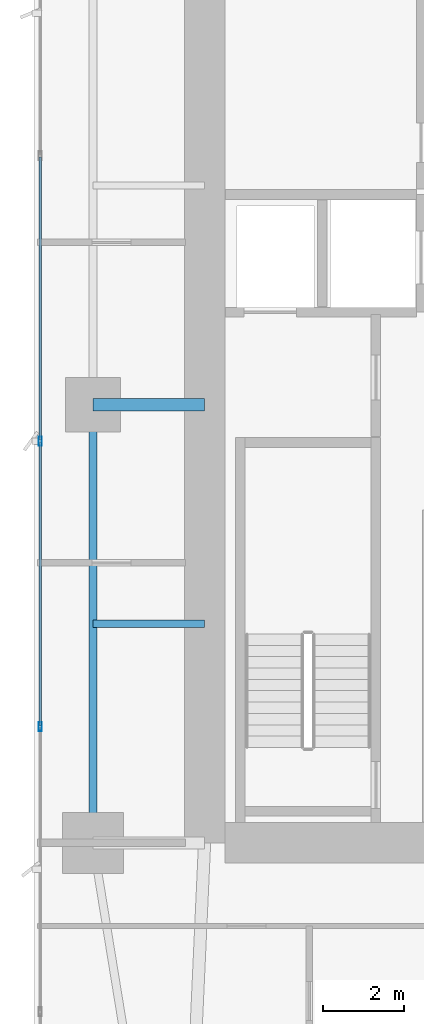
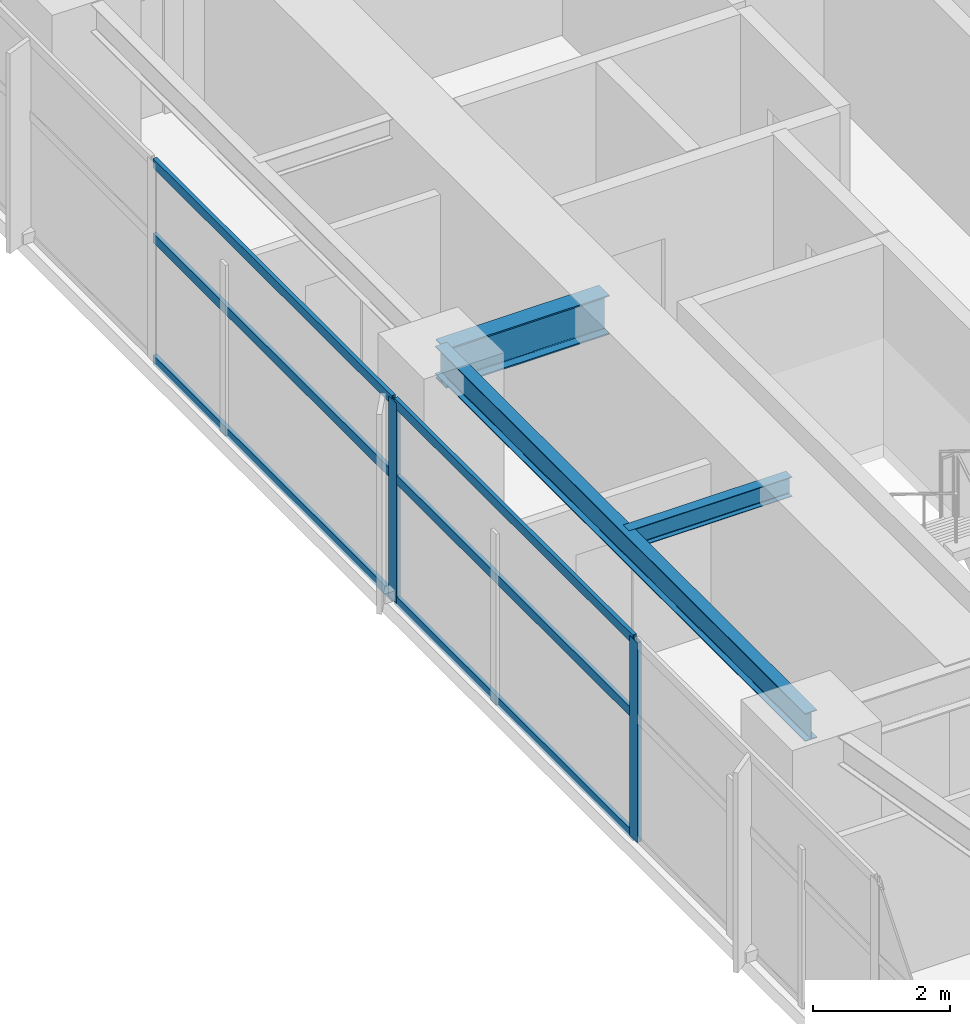
# One storey, part 8 of 29: 8 members, 3 beams, 1 element without a shape of its own.
"""IFC4 building model written with IfcOpenShell, lengths in metres."""

from ifc_helpers import new_model, si_unit, direction, frame, origin, origin_2d, place, context, subcontext, project, spatial, hollow_rectangle, i_section, extrude, material, layer, layer_set, material_profile, profile_set, type_object, element, aggregate, save


model = new_model("IFC4")

# Units and contexts
model_context = context("Model", 3, precision=1e-05, world=origin(), true_north=direction((0.0, 1.0)))
body_context = subcontext(model_context, "Body", "Model", "MODEL_VIEW")
ifc_project = project(units=[si_unit("LENGTHUNIT", "METRE"), si_unit("AREAUNIT", "SQUARE_METRE"), si_unit("VOLUMEUNIT", "CUBIC_METRE"), si_unit("PLANEANGLEUNIT", "RADIAN"), si_unit("MASSUNIT", "GRAM", prefix="KILO")], contexts=[model_context])

# Site, building, storey
site_placement = place(None, origin())
site = spatial("IfcSite", under=ifc_project, at=site_placement, CompositionType="ELEMENT")
building_placement = place(site_placement, origin())
building = spatial("IfcBuilding", under=site, at=building_placement, Name="Calvorn Quay Hotel", CompositionType="ELEMENT")
storey_placement = place(building_placement, frame((0.0, 0.0, 81.199951171875)))
storey = spatial("IfcBuildingStorey", under=building, at=storey_placement, Name="L19", CompositionType="ELEMENT", Elevation=81.199951171875)

# Beams
ifc_material_1 = material(Name="Steel Q390GJC", Category="steel")
ifc_material_profile_1 = material_profile(ifc_material_1, i_section(OverallWidth=0.300048828125, OverallDepth=0.699951171875, WebThickness=0.012939453125, FlangeThickness=0.02392578125, FilletRadius=0.02392578125, at=origin_2d()), Name="HN700x300x13x24")
ifc_profile_set_1 = profile_set([ifc_material_profile_1], Name="Steel Q390GJC")
beam_type_1 = type_object("IfcBeamType", Name="BM-GIRD-MAIN", PredefinedType="BEAM", material=ifc_profile_set_1)
beam_1_placement = place(storey_placement, frame((1.449951171875, 27.60009765625, 3.18994140625), z_axis=(1.0, 0.0, 0.0), x_axis=(0.0, 1.0, 0.0)))
element("IfcBeam", 1, at=beam_1_placement, inside=storey, type_object=beam_type_1, Name="Beam BG-L19-W2", PredefinedType="BEAM", context=body_context, shape_type="SweptSolid", body=[
    extrude(i_section(OverallWidth=0.300048828125, OverallDepth=0.699951171875, WebThickness=0.012939453125, FlangeThickness=0.02392578125, FilletRadius=0.02392578125, at=origin_2d()), origin(), (0.0, 0.0, 1.0), 2.75),
])
ifc_material_2 = material(Name="Steel Q355B", Category="steel")
ifc_material_profile_2 = material_profile(ifc_material_2, i_section(OverallWidth=0.175048828125, OverallDepth=0.35009765625, WebThickness=0.007080078125, FlangeThickness=0.010986328125, FilletRadius=0.013916015625, at=origin_2d()), Name="HN350x175x7x11")
ifc_profile_set_2 = profile_set([ifc_material_profile_2], Name="Steel Q355B")
beam_type_2 = type_object("IfcBeamType", Name="BM-JOIST-SEC", PredefinedType="JOIST", material=ifc_profile_set_2)
beam_2_placement = place(storey_placement, frame((1.449951171875, 22.199951171875, 3.364990234375), z_axis=(1.0, 0.0, 0.0), x_axis=(0.0, 1.0, 0.0)))
element("IfcBeam", 2, at=beam_2_placement, inside=storey, type_object=beam_type_2, Name="Beam BJ-L19-W3", PredefinedType="JOIST", context=body_context, shape_type="SweptSolid", body=[
    extrude(i_section(OverallWidth=0.175048828125, OverallDepth=0.35009765625, WebThickness=0.007080078125, FlangeThickness=0.010986328125, FilletRadius=0.013916015625, at=origin_2d()), origin(), (0.0, 0.0, 1.0), 2.75),
])
ifc_material_3 = material(Name="Steel Q355B", Category="steel")
ifc_material_profile_3 = material_profile(ifc_material_3, i_section(OverallWidth=0.199951171875, OverallDepth=0.5, WebThickness=0.010009765625, FlangeThickness=0.01611328125, FilletRadius=0.01611328125, at=origin_2d()), Name="HN500x200x10x16")
ifc_profile_set_3 = profile_set([ifc_material_profile_3], Name="Steel Q355B")
beam_type_3 = type_object("IfcBeamType", Name="BM-SPANDREL-Z1", PredefinedType="SPANDREL", material=ifc_profile_set_3)
beam_3_placement = place(storey_placement, frame((1.449951171875, 16.800048828125, 3.2900390625), z_axis=(0.0, 1.0, 0.0), x_axis=(-1.0, 0.0, 0.0)))
element("IfcBeam", 3, at=beam_3_placement, inside=storey, type_object=beam_type_3, Name="Beam BSP-L19-W2", PredefinedType="SPANDREL", context=body_context, shape_type="SweptSolid", body=[
    extrude(i_section(OverallWidth=0.199951171875, OverallDepth=0.5, WebThickness=0.010009765625, FlangeThickness=0.01611328125, FilletRadius=0.01611328125, at=origin_2d()), origin(), (0.0, 0.0, 1.0), 10.800048828125),
])

# Curtain wall, members
ifc_material_4 = material(Name="Pale Anodised Aluminium and Low-E Glass", Category="aluminium")
ifc_layer = layer(ifc_material_4, 0.219970703125)
ifc_layer_set = layer_set([ifc_layer], Name="CW-SYS-Z1")
curtain_wall_type = type_object("IfcCurtainWallType", Name="CW-SYS-Z1", PredefinedType="NOTDEFINED", material=ifc_layer_set)
curtain_wall_placement = place(storey_placement, origin())
curtain_wall = element("IfcCurtainWall", 4, at=curtain_wall_placement, inside=storey, type_object=curtain_wall_type, Name="Tower West Curtain Wall (L19)", PredefinedType="NOTDEFINED")
ifc_material_5 = material(Name="Pale Anodised Aluminium 6063-T6", Category="aluminium")
ifc_material_profile_4 = material_profile(ifc_material_5, hollow_rectangle(XDim=0.074951171875, YDim=0.219970703125, WallThickness=0.00439453125, at=origin_2d()), Name="ALU-M220x75x4.5")
ifc_profile_set_4 = profile_set([ifc_material_profile_4], Name="Pale Anodised Aluminium 6063-T6")
member_type_1 = type_object("IfcMemberType", Name="CW-SYS-Z1-MUL", PredefinedType="MULLION", material=ifc_profile_set_4)
member_1_placement = place(storey_placement, frame((0.14990234375, 19.666748046875, 0.0), z_axis=(0.0, 0.0, 1.0), x_axis=(-1.0, 0.0, 0.0)))
member_1 = element("IfcMember", 5, at=member_1_placement, type_object=member_type_1, Name="CW-L19-W mullion 3", PredefinedType="MULLION", context=body_context, shape_type="SweptSolid", body=[
    extrude(hollow_rectangle(XDim=0.074951171875, YDim=0.219970703125, WallThickness=0.00439453125, at=origin_2d()), origin(), (0.0, 0.0, 1.0), 3.56005859375),
])
member_2_placement = place(storey_placement, frame((0.14990234375, 26.699951171875, 0.0), z_axis=(0.0, 0.0, 1.0), x_axis=(-1.0, 0.0, 0.0)))
member_2 = element("IfcMember", 6, at=member_2_placement, type_object=member_type_1, Name="CW-L19-W mullion 4", PredefinedType="MULLION", context=body_context, shape_type="SweptSolid", body=[
    extrude(hollow_rectangle(XDim=0.074951171875, YDim=0.219970703125, WallThickness=0.00439453125, at=origin_2d()), origin(), (0.0, 0.0, 1.0), 3.56005859375),
])
ifc_material_6 = material(Name="Pale Anodised Aluminium 6063-T6", Category="aluminium")
ifc_material_profile_5 = material_profile(ifc_material_6, hollow_rectangle(XDim=0.06494140625, YDim=0.1650390625, WallThickness=0.00341796875, at=origin_2d()), Name="ALU-T165x65x3.5")
ifc_profile_set_5 = profile_set([ifc_material_profile_5], Name="Pale Anodised Aluminium 6063-T6")
member_type_2 = type_object("IfcMemberType", Name="CW-SYS-Z1-TRN", PredefinedType="USERDEFINED", material=ifc_profile_set_5)
member_3_placement = place(storey_placement, frame((0.14990234375, 19.69677734375, 0.030029296875), z_axis=(0.0, 1.0, 0.0), x_axis=(-1.0, 0.0, 0.0)))
member_3 = element("IfcMember", 7, at=member_3_placement, type_object=member_type_2, Name="CW-L19-W transom 3.1", ObjectType="TRANSOM", PredefinedType="USERDEFINED", context=body_context, shape_type="SweptSolid", body=[
    extrude(hollow_rectangle(XDim=0.06494140625, YDim=0.1650390625, WallThickness=0.00341796875, at=origin_2d()), origin(), (0.0, 0.0, 1.0), 6.97314453125),
])
member_4_placement = place(storey_placement, frame((0.14990234375, 19.69677734375, 2.199951171875), z_axis=(0.0, 1.0, 0.0), x_axis=(-1.0, 0.0, 0.0)))
member_4 = element("IfcMember", 8, at=member_4_placement, type_object=member_type_2, Name="CW-L19-W transom 3.2", ObjectType="TRANSOM", PredefinedType="USERDEFINED", context=body_context, shape_type="SweptSolid", body=[
    extrude(hollow_rectangle(XDim=0.06494140625, YDim=0.1650390625, WallThickness=0.00341796875, at=origin_2d()), origin(), (0.0, 0.0, 1.0), 6.97314453125),
])
member_5_placement = place(storey_placement, frame((0.14990234375, 19.69677734375, 3.530029296875), z_axis=(0.0, 1.0, 0.0), x_axis=(-1.0, 0.0, 0.0)))
member_5 = element("IfcMember", 9, at=member_5_placement, type_object=member_type_2, Name="CW-L19-W transom 3.3", ObjectType="TRANSOM", PredefinedType="USERDEFINED", context=body_context, shape_type="SweptSolid", body=[
    extrude(hollow_rectangle(XDim=0.06494140625, YDim=0.1650390625, WallThickness=0.00341796875, at=origin_2d()), origin(), (0.0, 0.0, 1.0), 6.97314453125),
])
member_6_placement = place(storey_placement, frame((0.14990234375, 26.72998046875, 0.030029296875), z_axis=(0.0, 1.0, 0.0), x_axis=(-1.0, 0.0, 0.0)))
member_6 = element("IfcMember", 10, at=member_6_placement, type_object=member_type_2, Name="CW-L19-W transom 4.1", ObjectType="TRANSOM", PredefinedType="USERDEFINED", context=body_context, shape_type="SweptSolid", body=[
    extrude(hollow_rectangle(XDim=0.06494140625, YDim=0.1650390625, WallThickness=0.00341796875, at=origin_2d()), origin(), (0.0, 0.0, 1.0), 6.973388671875),
])
member_7_placement = place(storey_placement, frame((0.14990234375, 26.72998046875, 2.199951171875), z_axis=(0.0, 1.0, 0.0), x_axis=(-1.0, 0.0, 0.0)))
member_7 = element("IfcMember", 11, at=member_7_placement, type_object=member_type_2, Name="CW-L19-W transom 4.2", ObjectType="TRANSOM", PredefinedType="USERDEFINED", context=body_context, shape_type="SweptSolid", body=[
    extrude(hollow_rectangle(XDim=0.06494140625, YDim=0.1650390625, WallThickness=0.00341796875, at=origin_2d()), origin(), (0.0, 0.0, 1.0), 6.973388671875),
])
member_8_placement = place(storey_placement, frame((0.14990234375, 26.72998046875, 3.530029296875), z_axis=(0.0, 1.0, 0.0), x_axis=(-1.0, 0.0, 0.0)))
member_8 = element("IfcMember", 12, at=member_8_placement, type_object=member_type_2, Name="CW-L19-W transom 4.3", ObjectType="TRANSOM", PredefinedType="USERDEFINED", context=body_context, shape_type="SweptSolid", body=[
    extrude(hollow_rectangle(XDim=0.06494140625, YDim=0.1650390625, WallThickness=0.00341796875, at=origin_2d()), origin(), (0.0, 0.0, 1.0), 6.973388671875),
])
aggregate(curtain_wall, [member_1, member_2, member_3, member_4, member_5, member_6, member_7, member_8])

save(model, "model.ifc")
